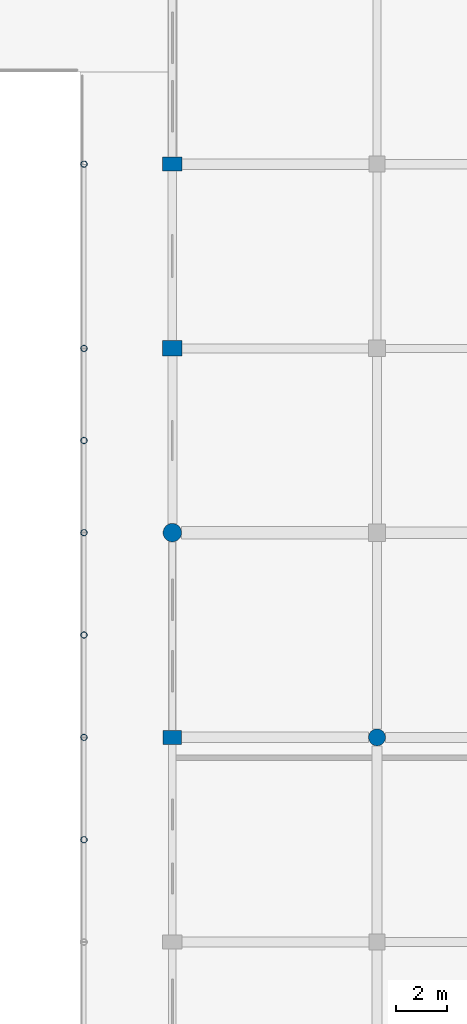
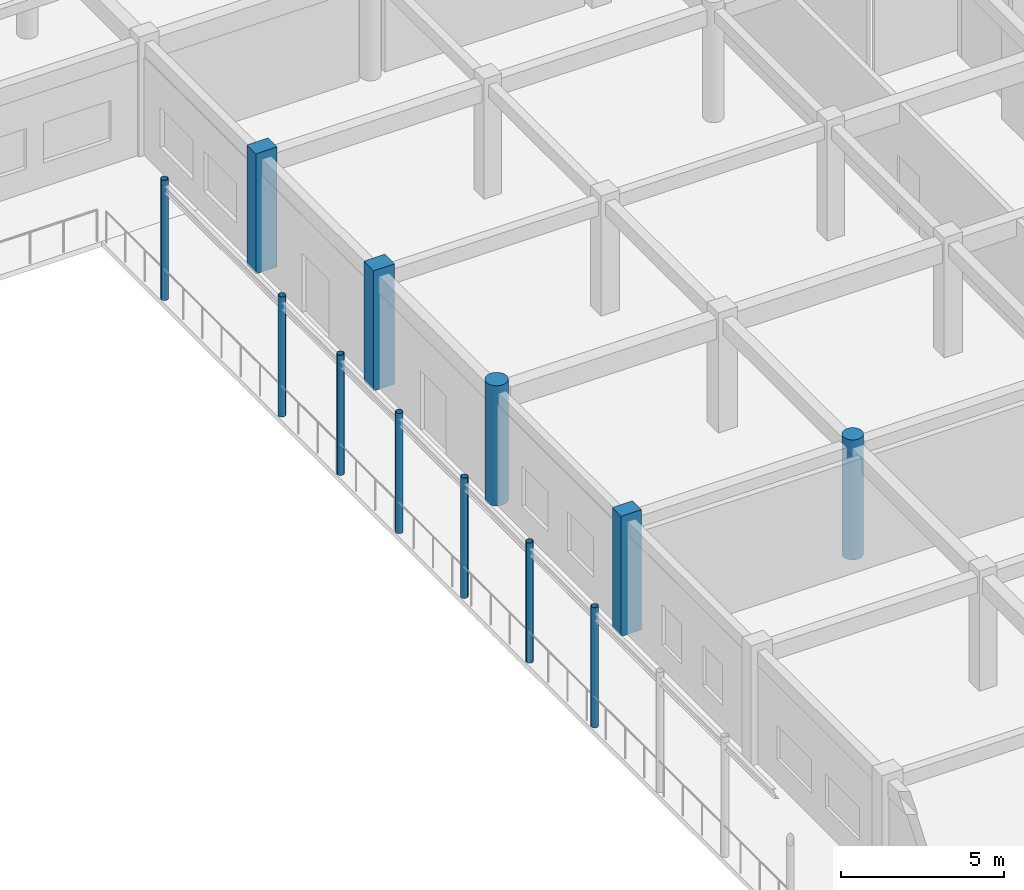
# One storey, part 31 of 160: 12 columns.
"""IFC4 building model written with IfcOpenShell, lengths in metres."""

from ifc_helpers import new_model, si_unit, direction, frame, origin, origin_2d, place, context, subcontext, project, spatial, rectangle, circle, hollow_circle, extrude, material, material_profile, profile_set, type_object, element, save


model = new_model("IFC4")

# Units and contexts
model_context = context("Model", 3, precision=1e-05, world=origin(), true_north=direction((0.0, 1.0)))
body_context = subcontext(model_context, "Body", "Model", "MODEL_VIEW")
ifc_project = project(units=[si_unit("LENGTHUNIT", "METRE"), si_unit("AREAUNIT", "SQUARE_METRE"), si_unit("VOLUMEUNIT", "CUBIC_METRE"), si_unit("PLANEANGLEUNIT", "RADIAN"), si_unit("MASSUNIT", "GRAM", prefix="KILO")], contexts=[model_context])

# Site, building, storey
site_placement = place(None, origin())
site = spatial("IfcSite", under=ifc_project, at=site_placement, CompositionType="ELEMENT")
building_placement = place(site_placement, origin())
building = spatial("IfcBuilding", under=site, at=building_placement, Name="Kharva Crest Polytechnic", CompositionType="ELEMENT")
storey_placement = place(building_placement, frame((0.0, 0.0, 4.5)))
storey = spatial("IfcBuildingStorey", under=building, at=storey_placement, Name="L01", CompositionType="ELEMENT", Elevation=4.5)

# Columns
ifc_material_1 = material(Name="Concrete C40/50", Category="concrete")
ifc_material_profile_1 = material_profile(ifc_material_1, rectangle(XDim=0.719970703125, YDim=0.550048828125, at=origin_2d()), Name="RECT 720 X 550")
ifc_profile_set_1 = profile_set([ifc_material_profile_1], Name="Concrete C40/50")
column_type_1 = type_object("IfcColumnType", Name="COL-EXT-720X550", PredefinedType="COLUMN", material=ifc_profile_set_1)
column_1_placement = place(storey_placement, frame((152.800048828125, 70.800048828125, 0.0), z_axis=(0.0, 0.0, 1.0), x_axis=(1.0, 0.0, 0.0)))
element("IfcColumn", 1, at=column_1_placement, inside=storey, type_object=column_type_1, Name="L01 Column 20/K", PredefinedType="COLUMN", context=body_context, shape_type="SweptSolid", body=[
    extrude(rectangle(XDim=0.719970703125, YDim=0.550048828125, at=origin_2d()), origin(), (0.0, 0.0, 1.0), 4.5),
])
ifc_material_profile_2 = material_profile(ifc_material_1, rectangle(XDim=0.75, YDim=0.550048828125, at=origin_2d()), Name="RECT 750 X 550")
ifc_profile_set_2 = profile_set([ifc_material_profile_2], Name="Concrete C40/50")
column_type_2 = type_object("IfcColumnType", Name="COL-EXT-750X550", PredefinedType="COLUMN", material=ifc_profile_set_2)
column_2_placement = place(storey_placement, frame((152.800048828125, 93.199951171875, 0.0), z_axis=(0.0, 0.0, 1.0), x_axis=(1.0, 0.0, 0.0)))
element("IfcColumn", 2, at=column_2_placement, inside=storey, type_object=column_type_2, Name="L01 Column 20/N", PredefinedType="COLUMN", context=body_context, shape_type="SweptSolid", body=[
    extrude(rectangle(XDim=0.75, YDim=0.550048828125, at=origin_2d()), origin(), (0.0, 0.0, 1.0), 4.5),
])
ifc_material_profile_3 = material_profile(ifc_material_1, rectangle(XDim=0.75, YDim=0.60009765625, at=origin_2d()), Name="RECT 750 X 600")
ifc_profile_set_3 = profile_set([ifc_material_profile_3], Name="Concrete C40/50")
column_type_3 = type_object("IfcColumnType", Name="COL-EXT-750X600", PredefinedType="COLUMN", material=ifc_profile_set_3)
column_3_placement = place(storey_placement, frame((152.800048828125, 86.0, 0.0), z_axis=(0.0, 0.0, 1.0), x_axis=(1.0, 0.0, 0.0)))
element("IfcColumn", 3, at=column_3_placement, inside=storey, type_object=column_type_3, Name="L01 Column 20/M", PredefinedType="COLUMN", context=body_context, shape_type="SweptSolid", body=[
    extrude(rectangle(XDim=0.75, YDim=0.60009765625, at=origin_2d()), origin(), (0.0, 0.0, 1.0), 4.5),
])
ifc_material_profile_4 = material_profile(ifc_material_1, circle(Radius=0.360107421875, at=origin_2d()), Name="DIA 720")
ifc_profile_set_4 = profile_set([ifc_material_profile_4], Name="Concrete C40/50")
column_type_4 = type_object("IfcColumnType", Name="COL-EXT-DIA720", PredefinedType="COLUMN", material=ifc_profile_set_4)
column_4_placement = place(storey_placement, frame((152.800048828125, 78.800048828125, 0.0), z_axis=(0.0, 0.0, 1.0), x_axis=(1.0, 0.0, 0.0)))
element("IfcColumn", 4, at=column_4_placement, inside=storey, type_object=column_type_4, Name="L01 Column 20/L", PredefinedType="COLUMN", context=body_context, shape_type="SweptSolid", body=[
    extrude(circle(Radius=0.360107421875, at=origin_2d()), origin(), (0.0, 0.0, 1.0), 4.5),
])
ifc_material_profile_5 = material_profile(ifc_material_1, circle(Radius=0.330078125, at=origin_2d()), Name="DIA 660")
ifc_profile_set_5 = profile_set([ifc_material_profile_5], Name="Concrete C40/50")
column_type_5 = type_object("IfcColumnType", Name="COL-INT-DIA660", PredefinedType="COLUMN", material=ifc_profile_set_5)
column_5_placement = place(storey_placement, frame((160.800048828125, 70.800048828125, 0.0), z_axis=(0.0, 0.0, 1.0), x_axis=(1.0, 0.0, 0.0)))
element("IfcColumn", 5, at=column_5_placement, inside=storey, type_object=column_type_5, Name="L01 Column 21/K", PredefinedType="COLUMN", context=body_context, shape_type="SweptSolid", body=[
    extrude(circle(Radius=0.330078125, at=origin_2d()), origin(), (0.0, 0.0, 1.0), 4.5),
])
ifc_material_2 = material(Name="Steel S355", Category="steel")
ifc_material_profile_6 = material_profile(ifc_material_2, hollow_circle(Radius=0.122314453125, WallThickness=0.010009765625, at=origin_2d()), Name="CHS 244.5X10.0")
ifc_profile_set_6 = profile_set([ifc_material_profile_6], Name="Steel S355")
column_type_6 = type_object("IfcColumnType", Name="COL-STL-CHS244", PredefinedType="COLUMN", material=ifc_profile_set_6)
for number, where, z_axis, x_axis, name in (
    (6, (149.35009765625, 70.800048828125, 0.0), (0.0, 0.0, 1.0), (1.0, 0.0, 0.0), "L01 Colonnade Column VE04"),
    (7, (149.35009765625, 78.800048828125, 0.0), (0.0, 0.0, 1.0), (1.0, 0.0, 0.0), "L01 Colonnade Column VE05"),
    (8, (149.35009765625, 86.0, 0.0), (0.0, 0.0, 1.0), (1.0, 0.0, 0.0), "L01 Colonnade Column VE06"),
    (9, (149.35009765625, 93.199951171875, 0.0), (0.0, 0.0, 1.0), (1.0, 0.0, 0.0), "L01 Colonnade Column VE07"),
    (10, (149.35009765625, 66.800048828125, 0.0), (0.0, 0.0, 1.0), (1.0, 0.0, 0.0), "L01 Colonnade Mid Column VEM03"),
    (11, (149.35009765625, 74.800048828125, 0.0), (0.0, 0.0, 1.0), (1.0, 0.0, 0.0), "L01 Colonnade Mid Column VEM04"),
    (12, (149.35009765625, 82.39990234375, 0.0), (0.0, 0.0, 1.0), (1.0, 0.0, 0.0), "L01 Colonnade Mid Column VEM05"),
):
    element("IfcColumn", number, at=place(storey_placement, frame(where, z_axis=z_axis, x_axis=x_axis)), inside=storey, type_object=column_type_6, Name=name, PredefinedType="COLUMN", context=body_context, shape_type="SweptSolid", body=[
        extrude(hollow_circle(Radius=0.122314453125, WallThickness=0.010009765625, at=origin_2d()), origin(), (0.0, 0.0, 1.0), 4.5),
    ])

save(model, "model.ifc")
